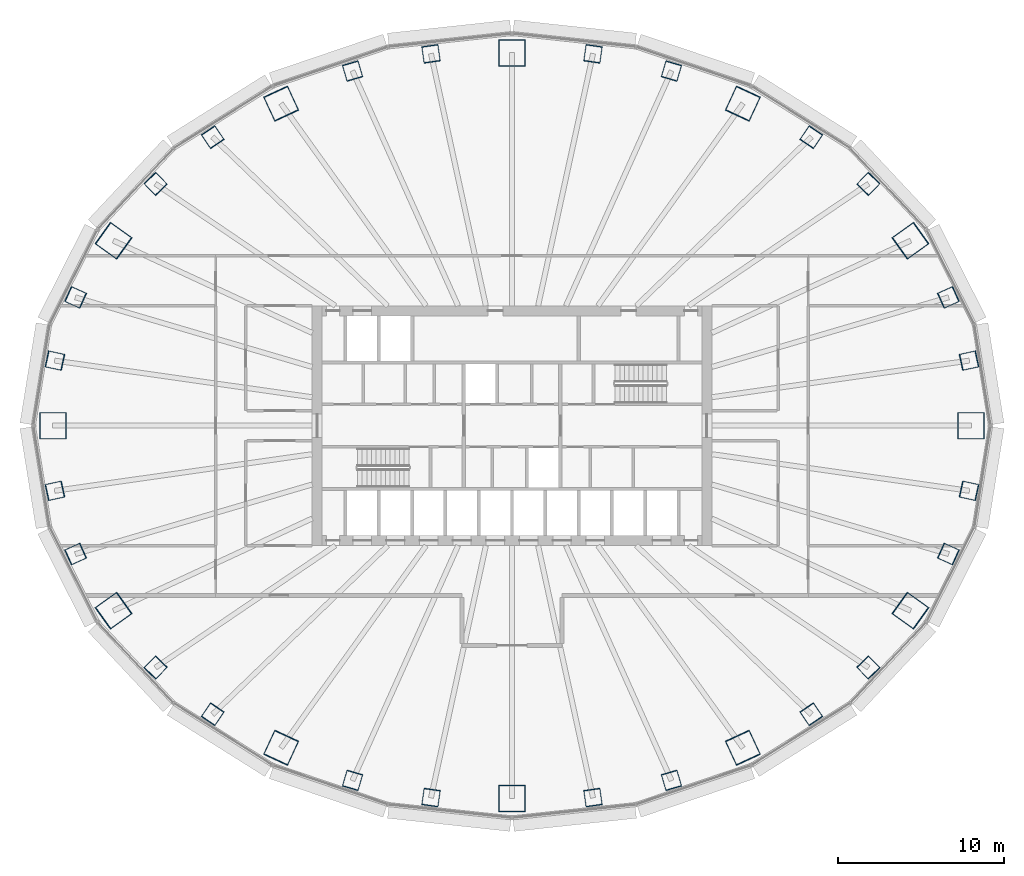
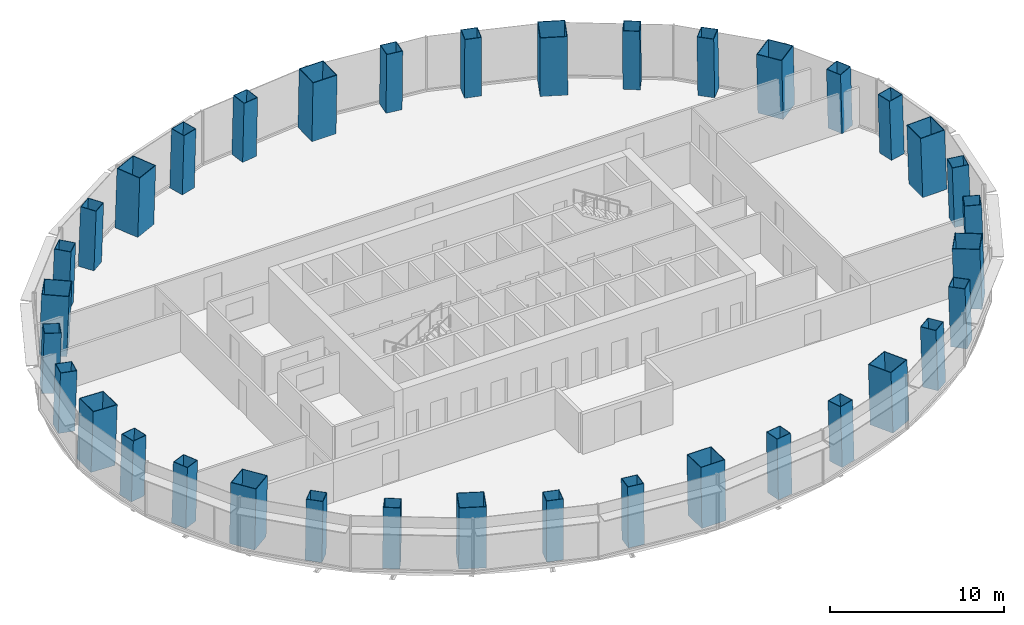
# One storey, part 1 of 13: 36 columns.
"""IFC4 building model written with IfcOpenShell, lengths in metres."""

from ifc_helpers import new_model, si_unit, direction, frame, origin, origin_2d, place, context, subcontext, project, spatial, hollow_rectangle, extrude, material, material_profile, profile_set, type_object, element, save


model = new_model("IFC4")

# Units and contexts
model_context = context("Model", 3, precision=1e-05, world=origin(), true_north=direction((0.0, 1.0)))
body_context = subcontext(model_context, "Body", "Model", "MODEL_VIEW")
ifc_project = project(units=[si_unit("LENGTHUNIT", "METRE"), si_unit("AREAUNIT", "SQUARE_METRE"), si_unit("VOLUMEUNIT", "CUBIC_METRE"), si_unit("PLANEANGLEUNIT", "RADIAN"), si_unit("MASSUNIT", "GRAM", prefix="KILO")], contexts=[model_context])

# Site, building, storey
site_placement = place(None, origin())
site = spatial("IfcSite", under=ifc_project, at=site_placement, CompositionType="ELEMENT")
building_placement = place(site_placement, origin())
building = spatial("IfcBuilding", under=site, at=building_placement, Name="Siaravel Broadcast Tower", CompositionType="ELEMENT")
storey_placement = place(building_placement, frame((0.0, 0.0, 24.5)))
storey = spatial("IfcBuildingStorey", under=building, at=storey_placement, Name="L04", CompositionType="ELEMENT", Elevation=24.5)

# Columns
ifc_material = material(Name="Concrete C70/85", Category="concrete")
ifc_material_profile_1 = material_profile(ifc_material, hollow_rectangle(XDim=1.0, YDim=1.0, WallThickness=0.031982421875, at=origin_2d()))
ifc_profile_set_1 = profile_set([ifc_material_profile_1], Name="Concrete C70/85")
column_type_1 = type_object("IfcColumnType", Name="COL-CFT BOX 1000x1000x32", PredefinedType="COLUMN", material=ifc_profile_set_1)
for number, where, z_axis, x_axis, name in (
    (1, (27.476318359375, 3.9130859375, 0.0), (-0.034101693, -0.004938065, 0.999406169), (0.212688697, -0.977116992, 0.00242942), "Perimeter column C01"),
    (2, (26.23291015625, 7.7138671875, 0.0), (-0.032533697, -0.009702013, 0.999423549), (0.40948935, -0.912303929, 0.004473596), "Perimeter column C02"),
):
    element("IfcColumn", number, at=place(storey_placement, frame(where, z_axis=z_axis, x_axis=x_axis)), inside=storey, type_object=column_type_1, Name=name, PredefinedType="COLUMN", context=body_context, shape_type="SweptSolid", body=[
        extrude(hollow_rectangle(XDim=1.0, YDim=1.0, WallThickness=0.031982421875, at=origin_2d()), origin(), (0.0, 0.0, 1.0), 4.202392578125),
    ])
column_1_placement = place(storey_placement, frame((21.42236328125, 14.535400390625, 0.0), z_axis=(-0.026551374, -0.018185077, 0.99948203), x_axis=(0.718530201, -0.695465996, 0.006434194)))
element("IfcColumn", 3, at=column_1_placement, inside=storey, type_object=column_type_1, Name="Perimeter column C03", PredefinedType="COLUMN", context=body_context, shape_type="SweptSolid", body=[
    extrude(hollow_rectangle(XDim=1.0, YDim=1.0, WallThickness=0.031982421875, at=origin_2d()), origin(), (0.0, 0.0, 1.0), 4.2021484375),
])
column_2_placement = place(storey_placement, frame((17.9912109375, 17.345703125, 0.0), z_axis=(-0.022252787, -0.021729876, 0.999516196), x_axis=(0.827637073, -0.561229122, 0.006224804)))
element("IfcColumn", 4, at=column_2_placement, inside=storey, type_object=column_type_1, Name="Perimeter column C04", PredefinedType="COLUMN", context=body_context, shape_type="SweptSolid", body=[
    extrude(hollow_rectangle(XDim=1.0, YDim=1.0, WallThickness=0.031982421875, at=origin_2d()), origin(), (0.0, 0.0, 1.0), 4.201904296875),
])
for number, where, z_axis, x_axis, name in (
    (5, (9.58544921875, 21.31982421875, 0.0), (-0.011795267, -0.026611982, 0.999576247), (0.95980006, -0.280658141, 0.003853862), "Perimeter column C05"),
    (6, (4.868408203125, 22.35498046875, 0.0), (-0.006042995, -0.027890746, 0.999592711), (0.989874097, -0.141933702, 0.002023992), "Perimeter column C06"),
    (7, (-4.868408203125, 22.35498046875, 0.0), (0.006042995, -0.027890746, 0.999592711), (0.989874097, 0.141933702, -0.002023992), "Perimeter column C07"),
    (8, (-9.58544921875, 21.31982421875, 0.0), (0.011795267, -0.026611982, 0.999576247), (0.95980006, 0.280658141, -0.003853862), "Perimeter column C08"),
):
    element("IfcColumn", number, at=place(storey_placement, frame(where, z_axis=z_axis, x_axis=x_axis)), inside=storey, type_object=column_type_1, Name=name, PredefinedType="COLUMN", context=body_context, shape_type="SweptSolid", body=[
        extrude(hollow_rectangle(XDim=1.0, YDim=1.0, WallThickness=0.031982421875, at=origin_2d()), origin(), (0.0, 0.0, 1.0), 4.20166015625),
    ])
column_3_placement = place(storey_placement, frame((-17.9912109375, 17.345703125, 0.0), z_axis=(0.022252787, -0.021729876, 0.999516196), x_axis=(0.827637073, 0.561229122, -0.006224804)))
element("IfcColumn", 9, at=column_3_placement, inside=storey, type_object=column_type_1, Name="Perimeter column C09", PredefinedType="COLUMN", context=body_context, shape_type="SweptSolid", body=[
    extrude(hollow_rectangle(XDim=1.0, YDim=1.0, WallThickness=0.031982421875, at=origin_2d()), origin(), (0.0, 0.0, 1.0), 4.201904296875),
])
column_4_placement = place(storey_placement, frame((-21.42236328125, 14.535400390625, 0.0), z_axis=(0.026551374, -0.018185077, 0.99948203), x_axis=(0.718530201, 0.695465996, -0.006434194)))
element("IfcColumn", 10, at=column_4_placement, inside=storey, type_object=column_type_1, Name="Perimeter column C10", PredefinedType="COLUMN", context=body_context, shape_type="SweptSolid", body=[
    extrude(hollow_rectangle(XDim=1.0, YDim=1.0, WallThickness=0.031982421875, at=origin_2d()), origin(), (0.0, 0.0, 1.0), 4.2021484375),
])
for number, where, z_axis, x_axis, name in (
    (11, (-26.23291015625, 7.7138671875, 0.0), (0.032533697, -0.009702013, 0.999423549), (0.40948935, 0.912303929, -0.004473596), "Perimeter column C11"),
    (12, (-27.476318359375, 3.9130859375, 0.0), (0.034101693, -0.004938065, 0.999406169), (0.212688697, 0.977116992, -0.00242942), "Perimeter column C12"),
    (13, (-27.476318359375, -3.9130859375, 0.0), (0.034101693, 0.004938065, 0.999406169), (-0.212688697, 0.977116992, 0.00242942), "Perimeter column C13"),
    (14, (-26.23291015625, -7.7138671875, 0.0), (0.032533697, 0.009702013, 0.999423549), (-0.40948935, 0.912303929, 0.004473596), "Perimeter column C14"),
):
    element("IfcColumn", number, at=place(storey_placement, frame(where, z_axis=z_axis, x_axis=x_axis)), inside=storey, type_object=column_type_1, Name=name, PredefinedType="COLUMN", context=body_context, shape_type="SweptSolid", body=[
        extrude(hollow_rectangle(XDim=1.0, YDim=1.0, WallThickness=0.031982421875, at=origin_2d()), origin(), (0.0, 0.0, 1.0), 4.202392578125),
    ])
column_5_placement = place(storey_placement, frame((-21.42236328125, -14.535400390625, 0.0), z_axis=(0.026551374, 0.018185077, 0.99948203), x_axis=(-0.718530201, 0.695465996, 0.006434194)))
element("IfcColumn", 15, at=column_5_placement, inside=storey, type_object=column_type_1, Name="Perimeter column C15", PredefinedType="COLUMN", context=body_context, shape_type="SweptSolid", body=[
    extrude(hollow_rectangle(XDim=1.0, YDim=1.0, WallThickness=0.031982421875, at=origin_2d()), origin(), (0.0, 0.0, 1.0), 4.2021484375),
])
column_6_placement = place(storey_placement, frame((-17.9912109375, -17.345703125, 0.0), z_axis=(0.022252787, 0.021729876, 0.999516196), x_axis=(-0.827637073, 0.561229122, 0.006224804)))
element("IfcColumn", 16, at=column_6_placement, inside=storey, type_object=column_type_1, Name="Perimeter column C16", PredefinedType="COLUMN", context=body_context, shape_type="SweptSolid", body=[
    extrude(hollow_rectangle(XDim=1.0, YDim=1.0, WallThickness=0.031982421875, at=origin_2d()), origin(), (0.0, 0.0, 1.0), 4.201904296875),
])
for number, where, z_axis, x_axis, name in (
    (17, (-9.58544921875, -21.31982421875, 0.0), (0.011795267, 0.026611982, 0.999576247), (-0.95980006, 0.280658141, 0.003853862), "Perimeter column C17"),
    (18, (-4.868408203125, -22.35498046875, 0.0), (0.006042995, 0.027890746, 0.999592711), (-0.989874097, 0.141933702, 0.002023992), "Perimeter column C18"),
    (19, (4.868408203125, -22.35498046875, 0.0), (-0.006042995, 0.027890746, 0.999592711), (-0.989874097, -0.141933702, -0.002023992), "Perimeter column C19"),
    (20, (9.58544921875, -21.31982421875, 0.0), (-0.011795267, 0.026611982, 0.999576247), (-0.95980006, -0.280658141, -0.003853862), "Perimeter column C20"),
):
    element("IfcColumn", number, at=place(storey_placement, frame(where, z_axis=z_axis, x_axis=x_axis)), inside=storey, type_object=column_type_1, Name=name, PredefinedType="COLUMN", context=body_context, shape_type="SweptSolid", body=[
        extrude(hollow_rectangle(XDim=1.0, YDim=1.0, WallThickness=0.031982421875, at=origin_2d()), origin(), (0.0, 0.0, 1.0), 4.20166015625),
    ])
column_7_placement = place(storey_placement, frame((17.9912109375, -17.345703125, 0.0), z_axis=(-0.022252787, 0.021729876, 0.999516196), x_axis=(-0.827637073, -0.561229122, -0.006224804)))
element("IfcColumn", 21, at=column_7_placement, inside=storey, type_object=column_type_1, Name="Perimeter column C21", PredefinedType="COLUMN", context=body_context, shape_type="SweptSolid", body=[
    extrude(hollow_rectangle(XDim=1.0, YDim=1.0, WallThickness=0.031982421875, at=origin_2d()), origin(), (0.0, 0.0, 1.0), 4.201904296875),
])
column_8_placement = place(storey_placement, frame((21.42236328125, -14.535400390625, 0.0), z_axis=(-0.026551374, 0.018185077, 0.99948203), x_axis=(-0.718530201, -0.695465996, -0.006434194)))
element("IfcColumn", 22, at=column_8_placement, inside=storey, type_object=column_type_1, Name="Perimeter column C22", PredefinedType="COLUMN", context=body_context, shape_type="SweptSolid", body=[
    extrude(hollow_rectangle(XDim=1.0, YDim=1.0, WallThickness=0.031982421875, at=origin_2d()), origin(), (0.0, 0.0, 1.0), 4.2021484375),
])
for number, where, z_axis, x_axis, name in (
    (23, (26.23291015625, -7.7138671875, 0.0), (-0.032533697, 0.009702013, 0.999423549), (-0.40948935, -0.912303929, -0.004473596), "Perimeter column C23"),
    (24, (27.476318359375, -3.9130859375, 0.0), (-0.034101693, 0.004938065, 0.999406169), (-0.212688697, -0.977116992, -0.00242942), "Perimeter column C24"),
):
    element("IfcColumn", number, at=place(storey_placement, frame(where, z_axis=z_axis, x_axis=x_axis)), inside=storey, type_object=column_type_1, Name=name, PredefinedType="COLUMN", context=body_context, shape_type="SweptSolid", body=[
        extrude(hollow_rectangle(XDim=1.0, YDim=1.0, WallThickness=0.031982421875, at=origin_2d()), origin(), (0.0, 0.0, 1.0), 4.202392578125),
    ])
ifc_material_profile_2 = material_profile(ifc_material, hollow_rectangle(XDim=1.60009765625, YDim=1.60009765625, WallThickness=0.0400390625, at=origin_2d()))
ifc_profile_set_2 = profile_set([ifc_material_profile_2], Name="Concrete C70/85")
column_type_2 = type_object("IfcColumnType", Name="COL-CFT BOX 1600x1600x40", PredefinedType="COLUMN", material=ifc_profile_set_2)
column_9_placement = place(storey_placement, frame((27.59423828125, 0.0, 0.0), z_axis=(-0.034566322, 0.0, 0.999402406), x_axis=(0.0, -1.0, 0.0)))
element("IfcColumn", 25, at=column_9_placement, inside=storey, type_object=column_type_2, Name="Megacolumn MC01", PredefinedType="COLUMN", context=body_context, shape_type="SweptSolid", body=[
    extrude(hollow_rectangle(XDim=1.60009765625, YDim=1.60009765625, WallThickness=0.0400390625, at=origin_2d()), origin(), (0.0, 0.0, 1.0), 4.202392578125),
])
column_10_placement = place(storey_placement, frame((23.950927734375, 11.1181640625, 0.0), z_axis=(-0.029978272, -0.014175772, 0.999450024), x_axis=(0.581821077, -0.813295293, 0.005916156)))
element("IfcColumn", 26, at=column_10_placement, inside=storey, type_object=column_type_2, Name="Megacolumn MC02", PredefinedType="COLUMN", context=body_context, shape_type="SweptSolid", body=[
    extrude(hollow_rectangle(XDim=1.60009765625, YDim=1.60009765625, WallThickness=0.0400390625, at=origin_2d()), origin(), (0.0, 0.0, 1.0), 4.2021484375),
])
column_11_placement = place(storey_placement, frame((13.876953125, 19.360595703125, 0.0), z_axis=(-0.01731473, -0.02457762, 0.999547968), x_axis=(0.907413008, -0.420205449, 0.005386396)))
element("IfcColumn", 27, at=column_11_placement, inside=storey, type_object=column_type_2, Name="Megacolumn MC03", PredefinedType="COLUMN", context=body_context, shape_type="SweptSolid", body=[
    extrude(hollow_rectangle(XDim=1.60009765625, YDim=1.60009765625, WallThickness=0.0400390625, at=origin_2d()), origin(), (0.0, 0.0, 1.0), 4.201904296875),
])
column_12_placement = place(storey_placement, frame((0.0, 22.40380859375, 0.0), z_axis=(0.0, -0.028297679, 0.99959954), x_axis=(1.0, 0.0, 0.0)))
element("IfcColumn", 28, at=column_12_placement, inside=storey, type_object=column_type_2, Name="Megacolumn MC04", PredefinedType="COLUMN", context=body_context, shape_type="SweptSolid", body=[
    extrude(hollow_rectangle(XDim=1.60009765625, YDim=1.60009765625, WallThickness=0.0400390625, at=origin_2d()), origin(), (0.0, 0.0, 1.0), 4.20166015625),
])
column_13_placement = place(storey_placement, frame((-13.876953125, 19.360595703125, 0.0), z_axis=(0.01731473, -0.02457762, 0.999547968), x_axis=(0.907413008, 0.420205449, -0.005386396)))
element("IfcColumn", 29, at=column_13_placement, inside=storey, type_object=column_type_2, Name="Megacolumn MC05", PredefinedType="COLUMN", context=body_context, shape_type="SweptSolid", body=[
    extrude(hollow_rectangle(XDim=1.60009765625, YDim=1.60009765625, WallThickness=0.0400390625, at=origin_2d()), origin(), (0.0, 0.0, 1.0), 4.201904296875),
])
column_14_placement = place(storey_placement, frame((-23.950927734375, 11.1181640625, 0.0), z_axis=(0.029978272, -0.014175772, 0.999450024), x_axis=(0.581821077, 0.813295293, -0.005916156)))
element("IfcColumn", 30, at=column_14_placement, inside=storey, type_object=column_type_2, Name="Megacolumn MC06", PredefinedType="COLUMN", context=body_context, shape_type="SweptSolid", body=[
    extrude(hollow_rectangle(XDim=1.60009765625, YDim=1.60009765625, WallThickness=0.0400390625, at=origin_2d()), origin(), (0.0, 0.0, 1.0), 4.2021484375),
])
column_15_placement = place(storey_placement, frame((-27.59423828125, 0.0, 0.0), z_axis=(0.034566322, 0.0, 0.999402406), x_axis=(0.0, 1.0, 0.0)))
element("IfcColumn", 31, at=column_15_placement, inside=storey, type_object=column_type_2, Name="Megacolumn MC07", PredefinedType="COLUMN", context=body_context, shape_type="SweptSolid", body=[
    extrude(hollow_rectangle(XDim=1.60009765625, YDim=1.60009765625, WallThickness=0.0400390625, at=origin_2d()), origin(), (0.0, 0.0, 1.0), 4.202392578125),
])
column_16_placement = place(storey_placement, frame((-23.950927734375, -11.1181640625, 0.0), z_axis=(0.029978272, 0.014175772, 0.999450024), x_axis=(-0.581821077, 0.813295293, 0.005916156)))
element("IfcColumn", 32, at=column_16_placement, inside=storey, type_object=column_type_2, Name="Megacolumn MC08", PredefinedType="COLUMN", context=body_context, shape_type="SweptSolid", body=[
    extrude(hollow_rectangle(XDim=1.60009765625, YDim=1.60009765625, WallThickness=0.0400390625, at=origin_2d()), origin(), (0.0, 0.0, 1.0), 4.2021484375),
])
column_17_placement = place(storey_placement, frame((-13.876953125, -19.360595703125, 0.0), z_axis=(0.01731473, 0.02457762, 0.999547968), x_axis=(-0.907413008, 0.420205449, 0.005386396)))
element("IfcColumn", 33, at=column_17_placement, inside=storey, type_object=column_type_2, Name="Megacolumn MC09", PredefinedType="COLUMN", context=body_context, shape_type="SweptSolid", body=[
    extrude(hollow_rectangle(XDim=1.60009765625, YDim=1.60009765625, WallThickness=0.0400390625, at=origin_2d()), origin(), (0.0, 0.0, 1.0), 4.201904296875),
])
column_18_placement = place(storey_placement, frame((0.0, -22.40380859375, 0.0), z_axis=(0.0, 0.028297679, 0.99959954), x_axis=(-1.0, 0.0, 0.0)))
element("IfcColumn", 34, at=column_18_placement, inside=storey, type_object=column_type_2, Name="Megacolumn MC10", PredefinedType="COLUMN", context=body_context, shape_type="SweptSolid", body=[
    extrude(hollow_rectangle(XDim=1.60009765625, YDim=1.60009765625, WallThickness=0.0400390625, at=origin_2d()), origin(), (0.0, 0.0, 1.0), 4.20166015625),
])
column_19_placement = place(storey_placement, frame((13.876953125, -19.360595703125, 0.0), z_axis=(-0.01731473, 0.02457762, 0.999547968), x_axis=(-0.907413008, -0.420205449, -0.005386396)))
element("IfcColumn", 35, at=column_19_placement, inside=storey, type_object=column_type_2, Name="Megacolumn MC11", PredefinedType="COLUMN", context=body_context, shape_type="SweptSolid", body=[
    extrude(hollow_rectangle(XDim=1.60009765625, YDim=1.60009765625, WallThickness=0.0400390625, at=origin_2d()), origin(), (0.0, 0.0, 1.0), 4.201904296875),
])
column_20_placement = place(storey_placement, frame((23.950927734375, -11.1181640625, 0.0), z_axis=(-0.029978272, 0.014175772, 0.999450024), x_axis=(-0.581821077, -0.813295293, -0.005916156)))
element("IfcColumn", 36, at=column_20_placement, inside=storey, type_object=column_type_2, Name="Megacolumn MC12", PredefinedType="COLUMN", context=body_context, shape_type="SweptSolid", body=[
    extrude(hollow_rectangle(XDim=1.60009765625, YDim=1.60009765625, WallThickness=0.0400390625, at=origin_2d()), origin(), (0.0, 0.0, 1.0), 4.2021484375),
])

save(model, "model.ifc")
